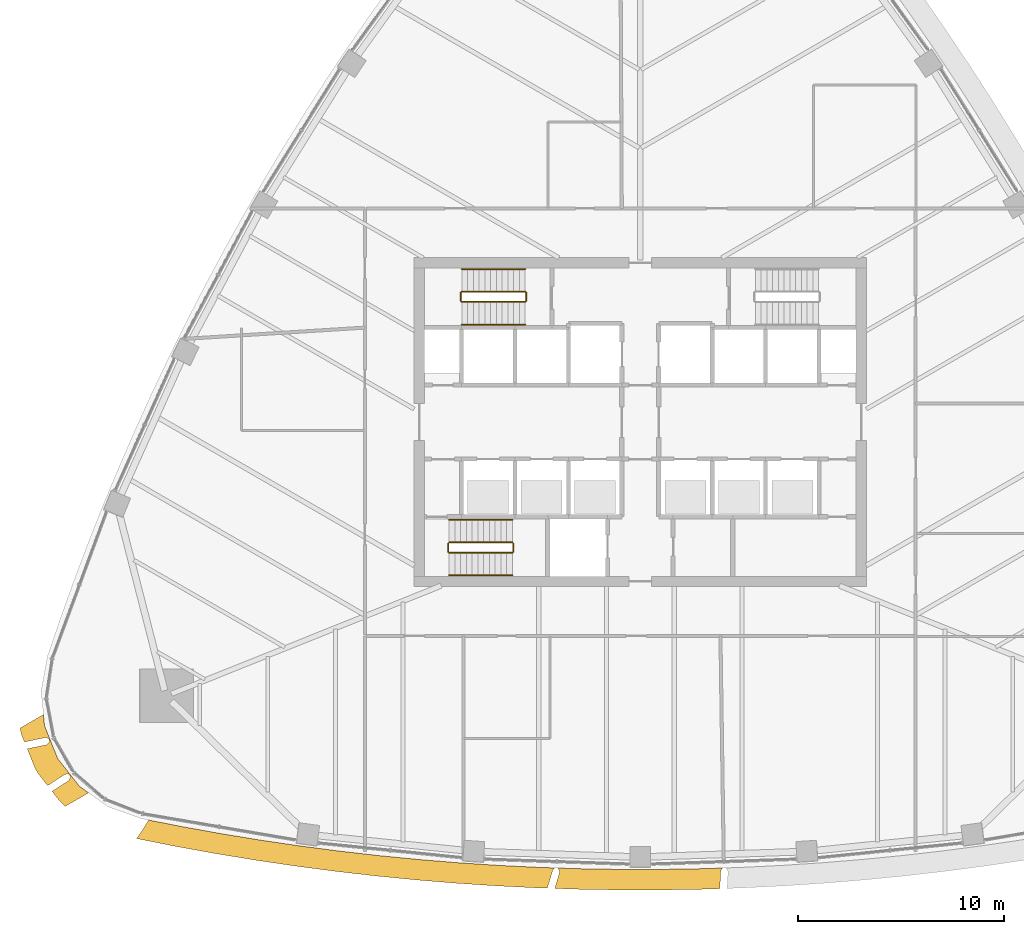
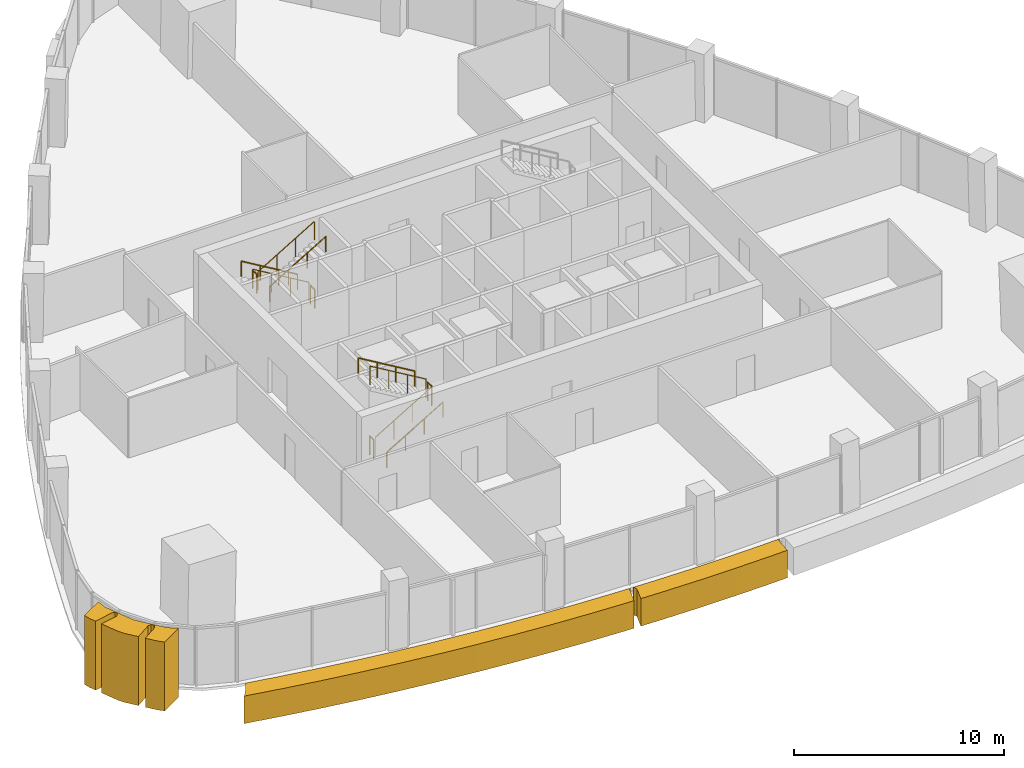
# One storey, part 13 of 16: 12 railings, 3 coverings.
"""IFC4 building model written with IfcOpenShell, lengths in metres."""

from ifc_helpers import new_model, si_unit, direction, frame, origin, origin_2d, place, context, subcontext, project, spatial, polyline, circle, outline, extrude, material, layer, layer_set, type_object, element, save


model = new_model("IFC4")

# Units and contexts
model_context = context("Model", 3, precision=1e-05, world=origin(), true_north=direction((0.0, 1.0)))
body_context = subcontext(model_context, "Body", "Model", "MODEL_VIEW")
ifc_project = project(units=[si_unit("LENGTHUNIT", "METRE"), si_unit("AREAUNIT", "SQUARE_METRE"), si_unit("VOLUMEUNIT", "CUBIC_METRE"), si_unit("PLANEANGLEUNIT", "RADIAN"), si_unit("MASSUNIT", "GRAM", prefix="KILO")], contexts=[model_context])

# Site, building, storey
site_placement = place(None, origin())
site = spatial("IfcSite", under=ifc_project, at=site_placement, CompositionType="ELEMENT")
building_placement = place(site_placement, origin())
building = spatial("IfcBuilding", under=site, at=building_placement, Name="Sierra Prisma Convention Tower", CompositionType="ELEMENT")
storey_placement = place(building_placement, frame((0.0, 0.0, 197.800048828125)))
storey = spatial("IfcBuildingStorey", under=building, at=storey_placement, Name="L44", CompositionType="ELEMENT", Elevation=197.800048828125)

# Coverings
ifc_material_1 = material(Name="Aluminium composite bronze anodised", Category="aluminium")
ifc_layer_1 = layer(ifc_material_1, 1.199951171875)
ifc_layer_set_1 = layer_set([ifc_layer_1], Name="Bronze corner pier")
covering_type_1 = type_object("IfcCoveringType", Name="Bronze corner pier", PredefinedType="CLADDING", material=ifc_layer_set_1)
covering_1_placement = place(storey_placement, frame((0.0, 0.0, -0.60009765625)))
element("IfcCovering", 1, at=covering_1_placement, inside=storey, type_object=covering_type_1, Name="Corner pier SW L44.1", PredefinedType="CLADDING", context=body_context, shape_type="SweptSolid", body=[
    extrude(outline(polyline([(-29.45849609375, -16.813720703125), (-29.82958984375, -15.89208984375), (-28.885986328125, -15.6923828125), (-28.881591796875, -15.691162109375), (-28.877197265625, -15.689697265625), (-28.872802734375, -15.687744140625), (-28.868896484375, -15.685302734375), (-28.864990234375, -15.6826171875), (-28.861572265625, -15.679443359375), (-28.8583984375, -15.676025390625), (-28.75439453125, -15.555419921875), (-28.751220703125, -15.551513671875), (-28.74853515625, -15.547119140625), (-28.746337890625, -15.542724609375), (-28.74462890625, -15.5380859375), (-28.743408203125, -15.533203125), (-28.742431640625, -15.5283203125), (-28.7421875, -15.5234375), (-28.742431640625, -15.5185546875), (-28.742919921875, -15.513671875), (-28.744140625, -15.5087890625), (-28.745849609375, -15.50390625), (-28.783203125, -15.411376953125), (-28.785400390625, -15.406494140625), (-28.7880859375, -15.402099609375), (-28.791015625, -15.39794921875), (-28.794677734375, -15.394287109375), (-28.798583984375, -15.390869140625), (-28.802734375, -15.3876953125), (-28.80712890625, -15.38525390625), (-28.81201171875, -15.38330078125), (-28.81689453125, -15.381591796875), (-28.935302734375, -15.3505859375), (-28.93994140625, -15.349609375), (-28.944580078125, -15.34912109375), (-28.94921875, -15.348876953125), (-28.953857421875, -15.34912109375), (-28.95849609375, -15.35009765625), (-29.96240234375, -15.562255859375), (-30.095947265625, -15.231201171875), (-30.1767578125, -14.904541015625), (-30.1787109375, -14.88330078125), (-29.039794921875, -14.2255859375), (-28.98291015625, -14.78271484375), (-28.34521484375, -16.365234375), (-27.293701171875, -17.70849609375), (-26.839599609375, -18.0361328125), (-27.978759765625, -18.69384765625), (-27.99609375, -18.681396484375), (-28.238525390625, -18.4482421875), (-28.619384765625, -17.9619140625), (-27.807373046875, -17.433349609375), (-27.80322265625, -17.430419921875), (-27.799560546875, -17.427001953125), (-27.796142578125, -17.42333984375), (-27.793212890625, -17.41943359375), (-27.79052734375, -17.4150390625), (-27.788330078125, -17.410400390625), (-27.731201171875, -17.27099609375), (-27.729736328125, -17.2666015625), (-27.728515625, -17.261962890625), (-27.727783203125, -17.257080078125), (-27.7275390625, -17.25244140625), (-27.727783203125, -17.247802734375), (-27.728515625, -17.242919921875), (-27.7294921875, -17.23828125), (-27.73095703125, -17.233642578125), (-27.73291015625, -17.2294921875), (-27.7353515625, -17.22509765625), (-27.73828125, -17.22119140625), (-27.7998046875, -17.142578125), (-27.802978515625, -17.138916015625), (-27.806396484375, -17.135498046875), (-27.810302734375, -17.132568359375), (-27.814453125, -17.1298828125), (-27.818603515625, -17.127685546875), (-27.8232421875, -17.1259765625), (-27.827880859375, -17.124755859375), (-27.832763671875, -17.123779296875), (-27.837646484375, -17.123291015625), (-27.84228515625, -17.12353515625), (-27.974365234375, -17.132080078125), (-27.979248046875, -17.1328125), (-27.984375, -17.1337890625), (-27.9892578125, -17.135498046875), (-27.993896484375, -17.137451171875), (-27.998291015625, -17.14013671875), (-28.8359375, -17.685302734375), (-29.290283203125, -17.10498046875), (-29.45849609375, -16.813720703125)])), origin(), (0.0, 0.0, 1.0), 4.0),
])
ifc_material_2 = material(Name="Aluminium composite bronze anodised", Category="aluminium")
ifc_layer_2 = layer(ifc_material_2, 1.0)
ifc_layer_set_2 = layer_set([ifc_layer_2], Name="Bronze spandrel band")
covering_type_2 = type_object("IfcCoveringType", Name="Bronze spandrel band", PredefinedType="CLADDING", material=ifc_layer_set_2)
covering_2_placement = place(storey_placement, frame((0.0, 0.0, -1.60009765625)))
element("IfcCovering", 2, at=covering_2_placement, inside=storey, type_object=covering_type_2, Name="Spandrel band L44.1", PredefinedType="CLADDING", context=body_context, shape_type="SweptSolid", body=[
    extrude(outline(polyline([(-22.3837890625, -19.66259765625), (-20.457275390625, -20.010986328125), (-18.525146484375, -20.328125), (-16.58837890625, -20.614013671875), (-14.647216796875, -20.867919921875), (-12.7021484375, -21.090576171875), (-10.753662109375, -21.28125), (-8.80224609375, -21.4404296875), (-6.8486328125, -21.56787109375), (-4.893310546875, -21.663330078125), (-4.156982421875, -21.687255859375), (-4.1611328125, -21.689208984375), (-4.16552734375, -21.691650390625), (-4.16943359375, -21.6943359375), (-4.17333984375, -21.69775390625), (-4.1767578125, -21.701416015625), (-4.250244140625, -21.78662109375), (-4.25341796875, -21.790771484375), (-4.256103515625, -21.795166015625), (-4.258544921875, -21.7998046875), (-4.26025390625, -21.8046875), (-4.5244140625, -22.67578125), (-4.92578125, -22.662841796875), (-4.94189453125, -22.662109375), (-6.8974609375, -22.566650390625), (-6.913818359375, -22.565673828125), (-8.8671875, -22.438232421875), (-8.883544921875, -22.43701171875), (-10.8349609375, -22.278076171875), (-10.85107421875, -22.276611328125), (-12.799560546875, -22.085693359375), (-12.815673828125, -22.083984375), (-14.7607421875, -21.861572265625), (-14.777099609375, -21.859619140625), (-16.71826171875, -21.60546875), (-16.734375, -21.603271484375), (-18.671142578125, -21.3173828125), (-18.687255859375, -21.31494140625), (-20.619140625, -20.997802734375), (-20.63525390625, -20.9951171875), (-22.561767578125, -20.646484375), (-22.57763671875, -20.643310546875), (-24.498291015625, -20.263671875), (-24.5205078125, -20.25732421875), (-24.379638671875, -20.0869140625), (-24.24267578125, -19.88427734375), (-23.92333984375, -19.35791015625), (-22.3837890625, -19.66259765625)])), origin(), (0.0, 0.0, 1.0), 1.60009765625),
])
covering_3_placement = place(storey_placement, frame((0.0, 0.0, -1.60009765625)))
element("IfcCovering", 3, at=covering_3_placement, inside=storey, type_object=covering_type_2, Name="Spandrel band L44.7", PredefinedType="CLADDING", context=body_context, shape_type="SweptSolid", body=[
    extrude(outline(polyline([(-3.992919921875, -21.717529296875), (-3.994873046875, -21.71337890625), (-3.997314453125, -21.709228515625), (-4.000244140625, -21.70556640625), (-4.00341796875, -21.701904296875), (-4.0068359375, -21.69873046875), (-4.010498046875, -21.69580078125), (-4.0146484375, -21.693359375), (-4.017822265625, -21.69189453125), (-2.936279296875, -21.72705078125), (-0.97900390625, -21.7587890625), (0.97900390625, -21.7587890625), (2.936279296875, -21.72705078125), (4.017822265625, -21.69189453125), (4.01416015625, -21.693603515625), (4.010009765625, -21.6962890625), (4.006103515625, -21.69921875), (4.002685546875, -21.70263671875), (3.99951171875, -21.706298828125), (3.99658203125, -21.710205078125), (3.92578125, -21.82177734375), (3.923095703125, -21.826171875), (3.921142578125, -21.830810546875), (3.919677734375, -21.835693359375), (3.918701171875, -21.8408203125), (3.91796875, -21.845947265625), (3.871337890625, -22.697021484375), (2.968994140625, -22.7265625), (2.95263671875, -22.726806640625), (0.9951171875, -22.7587890625), (0.97900390625, -22.7587890625), (-0.97900390625, -22.7587890625), (-0.9951171875, -22.7587890625), (-2.95263671875, -22.726806640625), (-2.968994140625, -22.7265625), (-4.162109375, -22.6875), (-3.92529296875, -21.90625), (-3.924072265625, -21.9013671875), (-3.92333984375, -21.896484375), (-3.923095703125, -21.8916015625), (-3.92333984375, -21.88671875), (-3.92431640625, -21.881591796875), (-3.92529296875, -21.876708984375), (-3.927001953125, -21.872314453125), (-3.992919921875, -21.717529296875)])), origin(), (0.0, 0.0, 1.0), 1.60009765625),
])

# Railings
ifc_material_3 = material(Name="Stainless steel", Category="steel")
railing_type_1 = type_object("IfcRailingType", Name="Exit stair handrail", PredefinedType="HANDRAIL", material=ifc_material_3)
railing_1_placement = place(storey_placement, frame((-9.300048828125, -7.449951171875, 0.16650390625)))
element("IfcRailing", 4, at=railing_1_placement, inside=storey, type_object=railing_type_1, Name="L44 S1 stair handrail 1", PredefinedType="HANDRAIL", context=body_context, shape_type="SweptSolid", body=[
    extrude(circle(Radius=0.02392578125, at=origin_2d()), frame((0.0, 0.0, 0.8759765625), z_axis=(0.85927862911, 0.0, 0.511507807912), x_axis=(0.0, 1.0, 0.0)), (0.0, 0.0, 1.0), 3.58447265625),
    extrude(circle(Radius=0.02099609375, at=origin_2d()), origin(), (0.0, 0.0, 1.0), 0.851806640625),
    extrude(circle(Radius=0.02099609375, at=origin_2d()), frame((1.026611328125, 0.0, 0.611083984375)), (0.0, 0.0, 1.0), 0.851806640625),
    extrude(circle(Radius=0.02099609375, at=origin_2d()), frame((2.053466796875, 0.0, 1.222412109375)), (0.0, 0.0, 1.0), 0.851806640625),
    extrude(circle(Radius=0.02099609375, at=origin_2d()), frame((3.080078125, 0.0, 1.83349609375)), (0.0, 0.0, 1.0), 0.851806640625),
])
railing_2_placement = place(storey_placement, frame((-6.219970703125, -4.75, 2.16650390625)))
element("IfcRailing", 5, at=railing_2_placement, inside=storey, type_object=railing_type_1, Name="L44 S1 stair handrail 2", PredefinedType="HANDRAIL", context=body_context, shape_type="SweptSolid", body=[
    extrude(circle(Radius=0.02392578125, at=origin_2d()), frame((0.0, 0.0, 0.8759765625), z_axis=(-0.85927862911, 0.0, 0.511507807912), x_axis=(0.0, -1.0, 0.0)), (0.0, 0.0, 1.0), 3.58447265625),
    extrude(circle(Radius=0.02099609375, at=origin_2d()), origin(), (0.0, 0.0, 1.0), 0.851806640625),
    extrude(circle(Radius=0.02099609375, at=origin_2d()), frame((-1.026611328125, 0.0, 0.611083984375)), (0.0, 0.0, 1.0), 0.851806640625),
    extrude(circle(Radius=0.02099609375, at=origin_2d()), frame((-2.053466796875, 0.0, 1.222412109375)), (0.0, 0.0, 1.0), 0.851806640625),
    extrude(circle(Radius=0.02099609375, at=origin_2d()), frame((-3.080078125, 0.0, 1.83349609375)), (0.0, 0.0, 1.0), 0.851806640625),
])
railing_3_placement = place(storey_placement, frame((-5.60009765625, 7.449951171875, 0.16650390625)))
element("IfcRailing", 6, at=railing_3_placement, inside=storey, type_object=railing_type_1, Name="L44 S3 stair handrail 1", PredefinedType="HANDRAIL", context=body_context, shape_type="SweptSolid", body=[
    extrude(circle(Radius=0.02392578125, at=origin_2d()), frame((0.0, 0.0, 0.8759765625), z_axis=(-0.859260807169, 0.0, 0.511537745687), x_axis=(0.0, -1.0, 0.0)), (0.0, 0.0, 1.0), 3.584228515625),
    extrude(circle(Radius=0.02099609375, at=origin_2d()), origin(), (0.0, 0.0, 1.0), 0.851806640625),
    extrude(circle(Radius=0.02099609375, at=origin_2d()), frame((-1.026611328125, 0.0, 0.611083984375)), (0.0, 0.0, 1.0), 0.851806640625),
    extrude(circle(Radius=0.02099609375, at=origin_2d()), frame((-2.05322265625, 0.0, 1.222412109375)), (0.0, 0.0, 1.0), 0.851806640625),
    extrude(circle(Radius=0.02099609375, at=origin_2d()), frame((-3.079833984375, 0.0, 1.83349609375)), (0.0, 0.0, 1.0), 0.851806640625),
])
railing_4_placement = place(storey_placement, frame((-8.679931640625, 4.75, 2.16650390625)))
element("IfcRailing", 7, at=railing_4_placement, inside=storey, type_object=railing_type_1, Name="L44 S3 stair handrail 2", PredefinedType="HANDRAIL", context=body_context, shape_type="SweptSolid", body=[
    extrude(circle(Radius=0.02392578125, at=origin_2d()), frame((0.0, 0.0, 0.8759765625), z_axis=(0.859260807169, 0.0, 0.511537745687), x_axis=(0.0, 1.0, 0.0)), (0.0, 0.0, 1.0), 3.584228515625),
    extrude(circle(Radius=0.02099609375, at=origin_2d()), origin(), (0.0, 0.0, 1.0), 0.851806640625),
    extrude(circle(Radius=0.02099609375, at=origin_2d()), frame((1.026611328125, 0.0, 0.611083984375)), (0.0, 0.0, 1.0), 0.851806640625),
    extrude(circle(Radius=0.02099609375, at=origin_2d()), frame((2.05322265625, 0.0, 1.222412109375)), (0.0, 0.0, 1.0), 0.851806640625),
    extrude(circle(Radius=0.02099609375, at=origin_2d()), frame((3.079833984375, 0.0, 1.83349609375)), (0.0, 0.0, 1.0), 0.851806640625),
])
ifc_material_4 = material(Name="Stainless steel", Category="steel")
railing_type_2 = type_object("IfcRailingType", Name="Stair guard 1100", PredefinedType="GUARDRAIL", material=ifc_material_4)
railing_5_placement = place(storey_placement, frame((-9.300048828125, -6.35009765625, 0.16650390625)))
element("IfcRailing", 8, at=railing_5_placement, inside=storey, type_object=railing_type_2, Name="L44 S1 stair guard 1", PredefinedType="GUARDRAIL", context=body_context, shape_type="SweptSolid", body=[
    extrude(circle(Radius=0.02392578125, at=origin_2d()), frame((0.0, 0.0, 1.076171875), z_axis=(0.85927862911, 0.0, 0.511507807912), x_axis=(0.0, 1.0, 0.0)), (0.0, 0.0, 1.0), 3.58447265625),
    extrude(circle(Radius=0.02099609375, at=origin_2d()), origin(), (0.0, 0.0, 1.0), 1.052001953125),
    extrude(circle(Radius=0.02099609375, at=origin_2d()), frame((1.026611328125, 0.0, 0.611083984375)), (0.0, 0.0, 1.0), 1.052001953125),
    extrude(circle(Radius=0.02099609375, at=origin_2d()), frame((2.053466796875, 0.0, 1.222412109375)), (0.0, 0.0, 1.0), 1.052001953125),
    extrude(circle(Radius=0.02099609375, at=origin_2d()), frame((3.080078125, 0.0, 1.83349609375)), (0.0, 0.0, 1.0), 1.052001953125),
])
railing_6_placement = place(storey_placement, frame((-6.169921875, -6.300048828125, 2.0)))
element("IfcRailing", 9, at=railing_6_placement, inside=storey, type_object=railing_type_2, Name="L44 S1 stair guard 2", PredefinedType="GUARDRAIL", context=body_context, shape_type="SweptSolid", body=[
    extrude(circle(Radius=0.02392578125, at=origin_2d()), frame((0.0, 0.0, 1.076171875), z_axis=(0.0, 1.0, 0.0), x_axis=(-1.0, 0.0, 0.0)), (0.0, 0.0, 1.0), 0.400146484375),
    extrude(circle(Radius=0.02099609375, at=origin_2d()), origin(), (0.0, 0.0, 1.0), 1.052001953125),
    extrude(circle(Radius=0.02099609375, at=origin_2d()), frame((0.0, 0.400146484375, 0.0)), (0.0, 0.0, 1.0), 1.052001953125),
])
railing_7_placement = place(storey_placement, frame((-6.219970703125, -5.85009765625, 2.16650390625)))
element("IfcRailing", 10, at=railing_7_placement, inside=storey, type_object=railing_type_2, Name="L44 S1 stair guard 3", PredefinedType="GUARDRAIL", context=body_context, shape_type="SweptSolid", body=[
    extrude(circle(Radius=0.02392578125, at=origin_2d()), frame((0.0, 0.0, 1.076171875), z_axis=(-0.85927862911, 0.0, 0.511507807912), x_axis=(0.0, -1.0, 0.0)), (0.0, 0.0, 1.0), 3.58447265625),
    extrude(circle(Radius=0.02099609375, at=origin_2d()), origin(), (0.0, 0.0, 1.0), 1.052001953125),
    extrude(circle(Radius=0.02099609375, at=origin_2d()), frame((-1.026611328125, 0.0, 0.611083984375)), (0.0, 0.0, 1.0), 1.052001953125),
    extrude(circle(Radius=0.02099609375, at=origin_2d()), frame((-2.053466796875, 0.0, 1.222412109375)), (0.0, 0.0, 1.0), 1.052001953125),
    extrude(circle(Radius=0.02099609375, at=origin_2d()), frame((-3.080078125, 0.0, 1.83349609375)), (0.0, 0.0, 1.0), 1.052001953125),
])
railing_8_placement = place(storey_placement, frame((-9.35009765625, -6.300048828125, 0.0)))
element("IfcRailing", 11, at=railing_8_placement, inside=storey, type_object=railing_type_2, Name="L44 S1 stair guard 4", PredefinedType="GUARDRAIL", context=body_context, shape_type="SweptSolid", body=[
    extrude(circle(Radius=0.02392578125, at=origin_2d()), frame((0.0, 0.0, 1.076171875), z_axis=(0.0, 1.0, 0.0), x_axis=(-1.0, 0.0, 0.0)), (0.0, 0.0, 1.0), 0.400146484375),
    extrude(circle(Radius=0.02099609375, at=origin_2d()), origin(), (0.0, 0.0, 1.0), 1.052001953125),
    extrude(circle(Radius=0.02099609375, at=origin_2d()), frame((0.0, 0.400146484375, 0.0)), (0.0, 0.0, 1.0), 1.052001953125),
])
railing_9_placement = place(storey_placement, frame((-5.60009765625, 6.35009765625, 0.16650390625)))
element("IfcRailing", 12, at=railing_9_placement, inside=storey, type_object=railing_type_2, Name="L44 S3 stair guard 1", PredefinedType="GUARDRAIL", context=body_context, shape_type="SweptSolid", body=[
    extrude(circle(Radius=0.02392578125, at=origin_2d()), frame((0.0, 0.0, 1.076171875), z_axis=(-0.859260807169, 0.0, 0.511537745687), x_axis=(0.0, -1.0, 0.0)), (0.0, 0.0, 1.0), 3.584228515625),
    extrude(circle(Radius=0.02099609375, at=origin_2d()), origin(), (0.0, 0.0, 1.0), 1.052001953125),
    extrude(circle(Radius=0.02099609375, at=origin_2d()), frame((-1.026611328125, 0.0, 0.611083984375)), (0.0, 0.0, 1.0), 1.052001953125),
    extrude(circle(Radius=0.02099609375, at=origin_2d()), frame((-2.05322265625, 0.0, 1.222412109375)), (0.0, 0.0, 1.0), 1.052001953125),
    extrude(circle(Radius=0.02099609375, at=origin_2d()), frame((-3.079833984375, 0.0, 1.83349609375)), (0.0, 0.0, 1.0), 1.052001953125),
])
railing_10_placement = place(storey_placement, frame((-8.72998046875, 6.300048828125, 2.0)))
element("IfcRailing", 13, at=railing_10_placement, inside=storey, type_object=railing_type_2, Name="L44 S3 stair guard 2", PredefinedType="GUARDRAIL", context=body_context, shape_type="SweptSolid", body=[
    extrude(circle(Radius=0.02392578125, at=origin_2d()), frame((0.0, 0.0, 1.076171875), z_axis=(0.0, -1.0, 0.0), x_axis=(1.0, 0.0, 0.0)), (0.0, 0.0, 1.0), 0.400146484375),
    extrude(circle(Radius=0.02099609375, at=origin_2d()), origin(), (0.0, 0.0, 1.0), 1.052001953125),
    extrude(circle(Radius=0.02099609375, at=origin_2d()), frame((0.0, -0.400146484375, 0.0)), (0.0, 0.0, 1.0), 1.052001953125),
])
railing_11_placement = place(storey_placement, frame((-8.679931640625, 5.85009765625, 2.16650390625)))
element("IfcRailing", 14, at=railing_11_placement, inside=storey, type_object=railing_type_2, Name="L44 S3 stair guard 3", PredefinedType="GUARDRAIL", context=body_context, shape_type="SweptSolid", body=[
    extrude(circle(Radius=0.02392578125, at=origin_2d()), frame((0.0, 0.0, 1.076171875), z_axis=(0.859260807169, 0.0, 0.511537745687), x_axis=(0.0, 1.0, 0.0)), (0.0, 0.0, 1.0), 3.584228515625),
    extrude(circle(Radius=0.02099609375, at=origin_2d()), origin(), (0.0, 0.0, 1.0), 1.052001953125),
    extrude(circle(Radius=0.02099609375, at=origin_2d()), frame((1.026611328125, 0.0, 0.611083984375)), (0.0, 0.0, 1.0), 1.052001953125),
    extrude(circle(Radius=0.02099609375, at=origin_2d()), frame((2.05322265625, 0.0, 1.222412109375)), (0.0, 0.0, 1.0), 1.052001953125),
    extrude(circle(Radius=0.02099609375, at=origin_2d()), frame((3.079833984375, 0.0, 1.83349609375)), (0.0, 0.0, 1.0), 1.052001953125),
])
railing_12_placement = place(storey_placement, frame((-5.550048828125, 6.300048828125, 0.0)))
element("IfcRailing", 15, at=railing_12_placement, inside=storey, type_object=railing_type_2, Name="L44 S3 stair guard 4", PredefinedType="GUARDRAIL", context=body_context, shape_type="SweptSolid", body=[
    extrude(circle(Radius=0.02392578125, at=origin_2d()), frame((0.0, 0.0, 1.076171875), z_axis=(0.0, -1.0, 0.0), x_axis=(1.0, 0.0, 0.0)), (0.0, 0.0, 1.0), 0.400146484375),
    extrude(circle(Radius=0.02099609375, at=origin_2d()), origin(), (0.0, 0.0, 1.0), 1.052001953125),
    extrude(circle(Radius=0.02099609375, at=origin_2d()), frame((0.0, -0.400146484375, 0.0)), (0.0, 0.0, 1.0), 1.052001953125),
])

save(model, "model.ifc")
